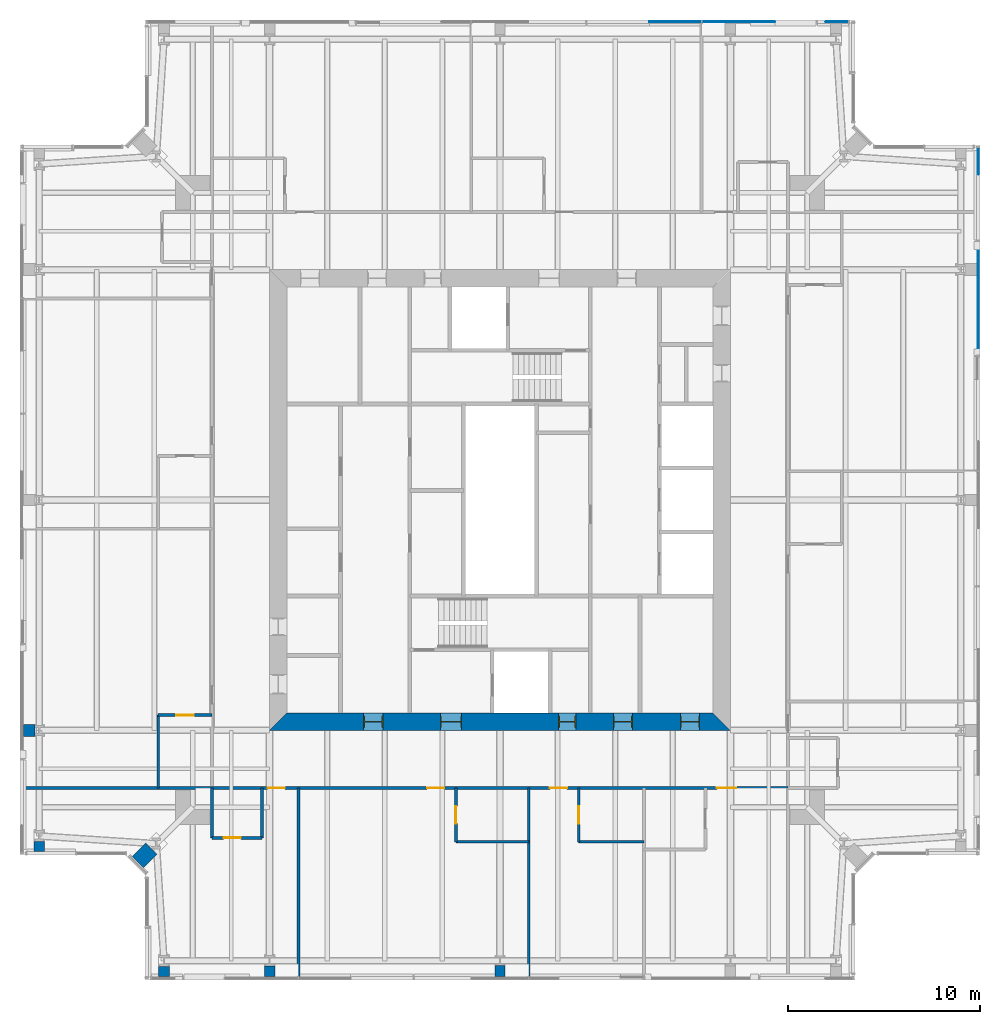
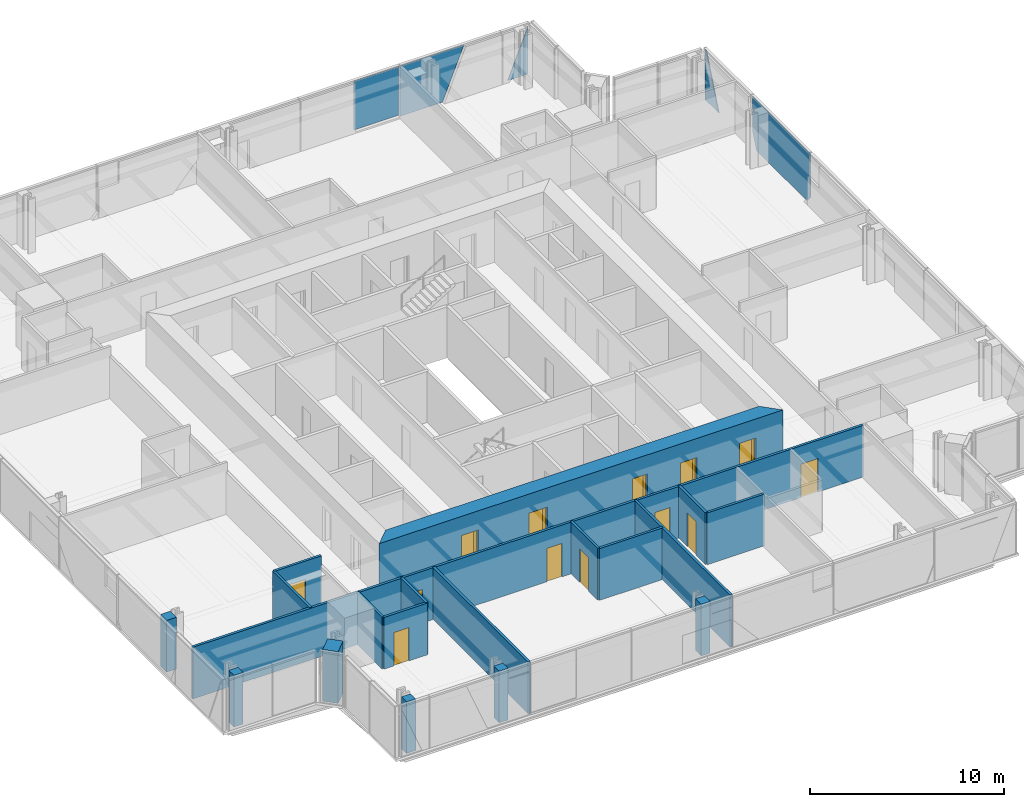
# One storey, part 11 of 20: 20 walls, 13 doors, 5 plates, 13 openings, 2 elements without a shape of their own.
"""IFC4 building model written with IfcOpenShell, lengths in metres."""

from ifc_helpers import new_model, si_unit, direction, frame, frame_2d, origin, place, context, subcontext, project, spatial, polyline, rectangle, outline, extrude, material, layer, layer_set, type_object, element, fill, aggregate, save


model = new_model("IFC4")

# Units and contexts
model_context = context("Model", 3, precision=1e-05, world=origin(), true_north=direction((0.0, 1.0)))
body_context = subcontext(model_context, "Body", "Model", "MODEL_VIEW")
ifc_project = project(units=[si_unit("LENGTHUNIT", "METRE"), si_unit("AREAUNIT", "SQUARE_METRE"), si_unit("VOLUMEUNIT", "CUBIC_METRE"), si_unit("PLANEANGLEUNIT", "RADIAN"), si_unit("MASSUNIT", "GRAM", prefix="KILO")], contexts=[model_context])

# Site, building, storey
site_placement = place(None, origin())
site = spatial("IfcSite", under=ifc_project, at=site_placement, CompositionType="ELEMENT")
building_placement = place(site_placement, origin())
building = spatial("IfcBuilding", under=site, at=building_placement, Name="Fenwick Lantern Interchange", CompositionType="ELEMENT")
storey_placement = place(building_placement, frame((0.0, 0.0, 276.39990234375)))
storey = spatial("IfcBuildingStorey", under=building, at=storey_placement, Name="L66", CompositionType="ELEMENT", Elevation=276.39990234375)

# Curtain wall, plates
ifc_material_1 = material(Name="Aluminium curtain wall frame", Category="aluminium")
curtain_wall_type = type_object("IfcCurtainWallType", Name="HOTEL CURTAIN WALL", PredefinedType="USERDEFINED", material=ifc_material_1)
curtain_wall_1_placement = place(storey_placement, origin())
curtain_wall_1 = element("IfcCurtainWall", 1, at=curtain_wall_1_placement, inside=storey, type_object=curtain_wall_type, Name="Hotel curtain wall 05", ObjectType="HOTEL CURTAIN WALL", PredefinedType="USERDEFINED")
ifc_material_2 = material(Name="Vision glass, acoustic laminated double glazed unit", Category="glass")
ifc_layer_1 = layer(ifc_material_2, 0.052001953125)
ifc_layer_set_1 = layer_set([ifc_layer_1], Name="HOTEL CURTAIN WALL PANEL 52")
plate_type = type_object("IfcPlateType", Name="HOTEL CURTAIN WALL PANEL 52", PredefinedType="CURTAIN_PANEL", material=ifc_layer_set_1)
plate_1_placement = place(storey_placement, frame((49.89990234375, 6.60009765625, 0.0), z_axis=(0.0, 0.0, 1.0), x_axis=(0.0, 1.0, 0.0)))
plate_1 = element("IfcPlate", 2, at=plate_1_placement, type_object=plate_type, Name="L66/CW/05/P05a", PredefinedType="CURTAIN_PANEL", context=body_context, shape_type="SweptSolid", body=[
    extrude(outline(polyline([(26.265869140625, 0.0), (31.453369140625, 0.0), (31.8701171875, 1.030029296875), (31.8701171875, 3.150146484375), (25.929931640625, 3.150146484375), (25.929931640625, 0.380615234375), (26.265869140625, 0.0)])), frame((0.0, 0.02587890625, 0.0), z_axis=(0.0, -1.0, 0.0), x_axis=(1.0, 0.0, 0.0)), (0.0, 0.0, 1.0), 0.052001953125),
])
plate_2_placement = place(storey_placement, frame((49.89990234375, 6.60009765625, 0.0), z_axis=(0.0, 0.0, 1.0), x_axis=(0.0, 1.0, 0.0)))
plate_2 = element("IfcPlate", 3, at=plate_2_placement, type_object=plate_type, Name="L66/CW/05/P06a", PredefinedType="CURTAIN_PANEL", context=body_context, shape_type="SweptSolid", body=[
    extrude(outline(polyline([(35.336669921875, 0.0), (36.739990234375, 0.0), (36.739990234375, 3.150146484375), (36.610595703125, 3.150146484375), (35.336669921875, 0.0)])), frame((0.0, 0.02587890625, 0.0), z_axis=(0.0, -1.0, 0.0), x_axis=(1.0, 0.0, 0.0)), (0.0, 0.0, 1.0), 0.052001953125),
])
aggregate(curtain_wall_1, [plate_1, plate_2])

curtain_wall_2_placement = place(storey_placement, origin())
curtain_wall_2 = element("IfcCurtainWall", 4, at=curtain_wall_2_placement, inside=storey, type_object=curtain_wall_type, Name="Hotel curtain wall 09", ObjectType="HOTEL CURTAIN WALL", PredefinedType="USERDEFINED")
plate_3_placement = place(storey_placement, frame((43.39990234375, 49.89990234375, 0.0), z_axis=(0.0, 0.0, 1.0), x_axis=(-1.0, 0.0, 0.0)))
plate_3 = element("IfcPlate", 5, at=plate_3_placement, type_object=plate_type, Name="L66/CW/09/P00a", PredefinedType="CURTAIN_PANEL", context=body_context, shape_type="SweptSolid", body=[
    extrude(outline(polyline([(0.260009765625, 0.0), (1.46337890625, 0.0), (0.260009765625, 2.9755859375), (0.260009765625, 0.0)])), frame((0.0, 0.02587890625, 0.0), z_axis=(0.0, -1.0, 0.0), x_axis=(1.0, 0.0, 0.0)), (0.0, 0.0, 1.0), 0.052001953125),
])
plate_4_placement = place(storey_placement, frame((43.39990234375, 49.89990234375, 0.0), z_axis=(0.0, 0.0, 1.0), x_axis=(-1.0, 0.0, 0.0)))
plate_4 = element("IfcPlate", 6, at=plate_4_placement, type_object=plate_type, Name="L66/CW/09/P01a", PredefinedType="CURTAIN_PANEL", context=body_context, shape_type="SweptSolid", body=[
    extrude(outline(polyline([(5.346435546875, 0.0), (7.8701171875, 0.0), (7.8701171875, 3.150146484375), (4.07275390625, 3.150146484375), (5.346435546875, 0.0)])), frame((0.0, 0.02587890625, 0.0), z_axis=(0.0, -1.0, 0.0), x_axis=(1.0, 0.0, 0.0)), (0.0, 0.0, 1.0), 0.052001953125),
])
plate_5_placement = place(storey_placement, frame((43.39990234375, 49.89990234375, 0.097412109375), z_axis=(0.0, 0.0, 1.0), x_axis=(-1.0, 0.0, 0.0)))
plate_5 = element("IfcPlate", 7, at=plate_5_placement, type_object=plate_type, Name="L66/CW/09/P02a", PredefinedType="CURTAIN_PANEL", context=body_context, shape_type="SweptSolid", body=[
    extrude(outline(polyline([(7.929931640625, 0.0), (10.6201171875, 0.0), (10.6201171875, 3.052734375), (7.929931640625, 3.052734375), (7.929931640625, 0.0)])), frame((0.0, 0.02587890625, 0.0), z_axis=(0.0, -1.0, 0.0), x_axis=(1.0, 0.0, 0.0)), (0.0, 0.0, 1.0), 0.052001953125),
])
aggregate(curtain_wall_2, [plate_3, plate_4, plate_5])

# Walls
ifc_material_3 = material(Name="Fire-rated gypsum board encasement on steel studs, 2 hour", Category="steel")
ifc_layer_2 = layer(ifc_material_3, 0.52392578125)
ifc_layer_set_2 = layer_set([ifc_layer_2], Name="COLUMN PIER 524")
wall_type_1 = type_object("IfcWallType", Name="COLUMN PIER 524", PredefinedType="PARTITIONING", material=ifc_layer_set_2)
wall_1_placement = place(storey_placement, frame((25.0, 0.18994140625, 0.0), z_axis=(0.0, 0.0, 1.0), x_axis=(0.0, 1.0, 0.0)))
element("IfcWall", 8, at=wall_1_placement, inside=storey, type_object=wall_type_1, Name="L66/W/PIER/CS3", PredefinedType="PARTITIONING", context=body_context, shape_type="SweptSolid", body=[
    extrude(rectangle(XDim=0.572509765625, YDim=0.52392578125, at=frame_2d((0.2861328125, 0.0))), origin(), (0.0, 0.0, 1.0), 3.25),
])
ifc_layer_3 = layer(ifc_material_3, 0.5419921875)
ifc_layer_set_3 = layer_set([ifc_layer_3], Name="COLUMN PIER 542")
wall_type_2 = type_object("IfcWallType", Name="COLUMN PIER 542", PredefinedType="PARTITIONING", material=ifc_layer_set_3)
wall_2_placement = place(storey_placement, frame((13.0, 0.18994140625, 0.0), z_axis=(0.0, 0.0, 1.0), x_axis=(0.0, 1.0, 0.0)))
element("IfcWall", 9, at=wall_2_placement, inside=storey, type_object=wall_type_2, Name="L66/W/PIER/CS2", PredefinedType="PARTITIONING", context=body_context, shape_type="SweptSolid", body=[
    extrude(rectangle(XDim=0.544677734375, YDim=0.5419921875, at=frame_2d((0.2724609375, 0.0))), origin(), (0.0, 0.0, 1.0), 3.25),
])
ifc_layer_4 = layer(ifc_material_3, 0.554931640625)
ifc_layer_set_4 = layer_set([ifc_layer_4], Name="COLUMN PIER 555")
wall_type_3 = type_object("IfcWallType", Name="COLUMN PIER 555", PredefinedType="PARTITIONING", material=ifc_layer_set_4)
for number, where, z_axis, x_axis, name in (
    (10, (7.5, 0.18994140625, 0.0), (0.0, 0.0, 1.0), (0.0, 1.0, 0.0), "L66/W/PIER/CS1"),
    (11, (1.0, 6.68994140625, 0.0), (0.0, 0.0, 1.0), (0.0, 1.0, 0.0), "L66/W/PIER/CW5"),
):
    element("IfcWall", number, at=place(storey_placement, frame(where, z_axis=z_axis, x_axis=x_axis)), inside=storey, type_object=wall_type_3, Name=name, PredefinedType="PARTITIONING", context=body_context, shape_type="SweptSolid", body=[
        extrude(rectangle(XDim=0.525634765625, YDim=0.554931640625, at=frame_2d((0.2626953125, 0.0))), origin(), (0.0, 0.0, 1.0), 3.25),
    ])
ifc_layer_5 = layer(ifc_material_3, 0.631103515625)
ifc_layer_set_5 = layer_set([ifc_layer_5], Name="COLUMN PIER 631")
wall_type_4 = type_object("IfcWallType", Name="COLUMN PIER 631", PredefinedType="PARTITIONING", material=ifc_layer_set_5)
wall_3_placement = place(storey_placement, frame((0.18994140625, 13.0, 0.0), z_axis=(0.0, 0.0, 1.0), x_axis=(1.0, 0.0, 0.0)))
element("IfcWall", 12, at=wall_3_placement, inside=storey, type_object=wall_type_4, Name="L66/W/PIER/CW4", PredefinedType="PARTITIONING", context=body_context, shape_type="SweptSolid", body=[
    extrude(rectangle(XDim=0.589111328125, YDim=0.631103515625, at=frame_2d((0.29443359375, 0.0))), origin(), (0.0, 0.0, 1.0), 3.25),
])
ifc_layer_6 = layer(ifc_material_3, 0.823974609375)
ifc_layer_set_6 = layer_set([ifc_layer_6], Name="COLUMN PIER 824")
wall_type_5 = type_object("IfcWallType", Name="COLUMN PIER 824", PredefinedType="PARTITIONING", material=ifc_layer_set_6)
wall_4_placement = place(storey_placement, frame((6.13427734375, 6.13427734375, 0.0), z_axis=(0.0, 0.0, 1.0), x_axis=(0.707106781187, 0.707106781187, 0.0)))
element("IfcWall", 13, at=wall_4_placement, inside=storey, type_object=wall_type_5, Name="L66/W/PIER/CWR", PredefinedType="PARTITIONING", context=body_context, shape_type="SweptSolid", body=[
    extrude(rectangle(XDim=1.003662109375, YDim=0.823974609375, at=frame_2d((0.501953125, 0.0))), origin(), (0.0, 0.0, 1.0), 3.25),
])

# Wall, openings, doors
ifc_material_4 = material(Name="Concrete f'c 70 MPa", Category="concrete")
ifc_layer_7 = layer(ifc_material_4, 0.89990234375)
ifc_layer_set_7 = layer_set([ifc_layer_7], Name="CORE WALL 900")
wall_type_6 = type_object("IfcWallType", Name="CORE WALL 900", PredefinedType="SHEAR", material=ifc_layer_set_7)
wall_5_placement = place(storey_placement, frame((13.0, 13.449951171875, 0.0), z_axis=(0.0, 0.0, 1.0), x_axis=(1.0, 0.0, 0.0)))
wall_5 = element("IfcWall", 14, at=wall_5_placement, inside=storey, type_object=wall_type_6, Name="L66/CORE/S", PredefinedType="SHEAR", context=body_context, shape_type="SweptSolid", body=[
    extrude(outline(polyline([(0.0, -0.449951171875), (24.0, -0.449951171875), (23.10009765625, 0.449951171875), (0.89990234375, 0.449951171875), (0.0, -0.449951171875)])), origin(), (0.0, 0.0, 1.0), 3.400146484375),
])
opening_1_placement = place(wall_5_placement, frame((4.89990234375, 0.0, 0.0)))
opening_1 = element("IfcOpeningElement", 15, at=opening_1_placement, cuts=wall_5, Name="Opening L66-D001", PredefinedType="OPENING", context=body_context, shape_type="SweptSolid", body=[
    extrude(rectangle(XDim=1.0, YDim=2.199951171875, at=frame_2d((0.5, 1.10009765625))), frame((0.0, 0.4599609375, 0.0), z_axis=(0.0, -1.0, 0.0), x_axis=(1.0, 0.0, 0.0)), (0.0, 0.0, 1.0), 0.919921875),
])
opening_2_placement = place(wall_5_placement, frame((8.89990234375, 0.0, 0.0)))
opening_2 = element("IfcOpeningElement", 16, at=opening_2_placement, cuts=wall_5, Name="Opening L66-D002", PredefinedType="OPENING", context=body_context, shape_type="SweptSolid", body=[
    extrude(rectangle(XDim=1.10009765625, YDim=2.199951171875, at=frame_2d((0.550048828125, 1.10009765625))), frame((0.0, 0.4599609375, 0.0), z_axis=(0.0, -1.0, 0.0), x_axis=(1.0, 0.0, 0.0)), (0.0, 0.0, 1.0), 0.919921875),
])
opening_3_placement = place(wall_5_placement, frame((15.050048828125, 0.0, 0.0)))
opening_3 = element("IfcOpeningElement", 17, at=opening_3_placement, cuts=wall_5, Name="Opening L66-D004", PredefinedType="OPENING", context=body_context, shape_type="SweptSolid", body=[
    extrude(rectangle(XDim=0.89990234375, YDim=2.199951171875, at=frame_2d((0.449951171875, 1.10009765625))), frame((0.0, 0.4599609375, 0.0), z_axis=(0.0, -1.0, 0.0), x_axis=(1.0, 0.0, 0.0)), (0.0, 0.0, 1.0), 0.919921875),
])
opening_4_placement = place(wall_5_placement, frame((17.89990234375, 0.0, 0.0)))
opening_4 = element("IfcOpeningElement", 18, at=opening_4_placement, cuts=wall_5, Name="Opening L66-D005", PredefinedType="OPENING", context=body_context, shape_type="SweptSolid", body=[
    extrude(rectangle(XDim=1.0, YDim=2.199951171875, at=frame_2d((0.5, 1.10009765625))), frame((0.0, 0.4599609375, 0.0), z_axis=(0.0, -1.0, 0.0), x_axis=(1.0, 0.0, 0.0)), (0.0, 0.0, 1.0), 0.919921875),
])
opening_5_placement = place(wall_5_placement, frame((21.39990234375, 0.0, 0.0)))
opening_5 = element("IfcOpeningElement", 19, at=opening_5_placement, cuts=wall_5, Name="Opening L66-D006", PredefinedType="OPENING", context=body_context, shape_type="SweptSolid", body=[
    extrude(rectangle(XDim=1.0, YDim=2.199951171875, at=frame_2d((0.5, 1.10009765625))), frame((0.0, 0.4599609375, 0.0), z_axis=(0.0, -1.0, 0.0), x_axis=(1.0, 0.0, 0.0)), (0.0, 0.0, 1.0), 0.919921875),
])
ifc_material_5 = material(Name="Steel door and frame", Category="steel")
door_type_1 = type_object("IfcDoorType", Name="CORE LOBBY DOOR 1000 X 2200", OperationType="SINGLE_SWING_LEFT", PredefinedType="DOOR", material=ifc_material_5)
door_1_placement = place(opening_1_placement, origin())
door_1 = element("IfcDoor", 20, at=door_1_placement, inside=storey, type_object=door_type_1, Name="Core lobby door", OperationType="SINGLE_SWING_LEFT", OverallHeight=2.199951171875, OverallWidth=1.0, PredefinedType="DOOR", context=body_context, shape_type="SweptSolid", body=[
    extrude(rectangle(XDim=1.0, YDim=2.199951171875, at=frame_2d((0.5, 1.10009765625))), frame((0.0, 0.02490234375, 0.0), z_axis=(0.0, -1.0, 0.0), x_axis=(1.0, 0.0, 0.0)), (0.0, 0.0, 1.0), 0.050048828125),
    extrude(outline(polyline([(0.0, 0.0), (0.0400390625, 0.0), (0.0400390625, 2.159912109375), (0.9599609375, 2.159912109375), (0.9599609375, 0.0), (1.0, 0.0), (1.0, 2.199951171875), (0.0, 2.199951171875), (0.0, 0.0)])), frame((0.0, 0.300048828125, 0.0), z_axis=(0.0, -1.0, 0.0), x_axis=(1.0, 0.0, 0.0)), (0.0, 0.0, 1.0), 0.60009765625),
])
fill(opening_1, door_1)
door_type_2 = type_object("IfcDoorType", Name="FIRE LOBBY DOOR 1100 X 2200", OperationType="SINGLE_SWING_LEFT", PredefinedType="DOOR", material=ifc_material_5)
door_2_placement = place(opening_2_placement, origin())
door_2 = element("IfcDoor", 21, at=door_2_placement, inside=storey, type_object=door_type_2, Name="Fire lobby door", OperationType="SINGLE_SWING_LEFT", OverallHeight=2.199951171875, OverallWidth=1.10009765625, PredefinedType="DOOR", context=body_context, shape_type="SweptSolid", body=[
    extrude(rectangle(XDim=1.10009765625, YDim=2.199951171875, at=frame_2d((0.550048828125, 1.10009765625))), frame((0.0, 0.02490234375, 0.0), z_axis=(0.0, -1.0, 0.0), x_axis=(1.0, 0.0, 0.0)), (0.0, 0.0, 1.0), 0.050048828125),
    extrude(outline(polyline([(0.0, 0.0), (0.0400390625, 0.0), (0.0400390625, 2.159912109375), (1.06005859375, 2.159912109375), (1.06005859375, 0.0), (1.10009765625, 0.0), (1.10009765625, 2.199951171875), (0.0, 2.199951171875), (0.0, 0.0)])), frame((0.0, 0.300048828125, 0.0), z_axis=(0.0, -1.0, 0.0), x_axis=(1.0, 0.0, 0.0)), (0.0, 0.0, 1.0), 0.60009765625),
])
fill(opening_2, door_2)
door_type_3 = type_object("IfcDoorType", Name="SERVICE DOOR 900 X 2200", OperationType="SINGLE_SWING_LEFT", PredefinedType="DOOR", material=ifc_material_5)
door_3_placement = place(opening_3_placement, origin())
door_3 = element("IfcDoor", 22, at=door_3_placement, inside=storey, type_object=door_type_3, Name="Service door", OperationType="SINGLE_SWING_LEFT", OverallHeight=2.199951171875, OverallWidth=0.89990234375, PredefinedType="DOOR", context=body_context, shape_type="SweptSolid", body=[
    extrude(rectangle(XDim=0.89990234375, YDim=2.199951171875, at=frame_2d((0.449951171875, 1.10009765625))), frame((0.0, 0.02490234375, 0.0), z_axis=(0.0, -1.0, 0.0), x_axis=(1.0, 0.0, 0.0)), (0.0, 0.0, 1.0), 0.050048828125),
    extrude(outline(polyline([(0.0, 0.0), (0.0400390625, 0.0), (0.0400390625, 2.159912109375), (0.85986328125, 2.159912109375), (0.85986328125, 0.0), (0.89990234375, 0.0), (0.89990234375, 2.199951171875), (0.0, 2.199951171875), (0.0, 0.0)])), frame((0.0, 0.300048828125, 0.0), z_axis=(0.0, -1.0, 0.0), x_axis=(1.0, 0.0, 0.0)), (0.0, 0.0, 1.0), 0.60009765625),
])
fill(opening_3, door_3)
ifc_material_6 = material(Name="Hardwood door and steel frame", Category="steel")
door_type_4 = type_object("IfcDoorType", Name="WC DOOR 1000 X 2200", OperationType="SINGLE_SWING_LEFT", PredefinedType="DOOR", material=ifc_material_6)
door_4_placement = place(opening_4_placement, origin())
door_4 = element("IfcDoor", 23, at=door_4_placement, inside=storey, type_object=door_type_4, Name="Wc door", OperationType="SINGLE_SWING_RIGHT", OverallHeight=2.199951171875, OverallWidth=1.0, PredefinedType="DOOR", context=body_context, shape_type="SweptSolid", body=[
    extrude(rectangle(XDim=1.0, YDim=2.199951171875, at=frame_2d((0.5, 1.10009765625))), frame((0.0, 0.02490234375, 0.0), z_axis=(0.0, -1.0, 0.0), x_axis=(1.0, 0.0, 0.0)), (0.0, 0.0, 1.0), 0.050048828125),
    extrude(outline(polyline([(0.0, 0.0), (0.0400390625, 0.0), (0.0400390625, 2.159912109375), (0.9599609375, 2.159912109375), (0.9599609375, 0.0), (1.0, 0.0), (1.0, 2.199951171875), (0.0, 2.199951171875), (0.0, 0.0)])), frame((0.0, 0.300048828125, 0.0), z_axis=(0.0, -1.0, 0.0), x_axis=(1.0, 0.0, 0.0)), (0.0, 0.0, 1.0), 0.60009765625),
])
fill(opening_4, door_4)
door_5_placement = place(opening_5_placement, origin())
door_5 = element("IfcDoor", 24, at=door_5_placement, inside=storey, type_object=door_type_4, Name="Wc door", OperationType="SINGLE_SWING_RIGHT", OverallHeight=2.199951171875, OverallWidth=1.0, PredefinedType="DOOR", context=body_context, shape_type="SweptSolid", body=[
    extrude(rectangle(XDim=1.0, YDim=2.199951171875, at=frame_2d((0.5, 1.10009765625))), frame((0.0, 0.02490234375, 0.0), z_axis=(0.0, -1.0, 0.0), x_axis=(1.0, 0.0, 0.0)), (0.0, 0.0, 1.0), 0.050048828125),
    extrude(outline(polyline([(0.0, 0.0), (0.0400390625, 0.0), (0.0400390625, 2.159912109375), (0.9599609375, 2.159912109375), (0.9599609375, 0.0), (1.0, 0.0), (1.0, 2.199951171875), (0.0, 2.199951171875), (0.0, 0.0)])), frame((0.0, 0.300048828125, 0.0), z_axis=(0.0, -1.0, 0.0), x_axis=(1.0, 0.0, 0.0)), (0.0, 0.0, 1.0), 0.60009765625),
])
fill(opening_5, door_5)

ifc_material_7 = material(Name="Gypsum board on steel studs, 1 hour", Category="steel")
ifc_layer_8 = layer(ifc_material_7, 0.14990234375)
ifc_layer_set_8 = layer_set([ifc_layer_8], Name="CORRIDOR WALL 150")
wall_type_7 = type_object("IfcWallType", Name="CORRIDOR WALL 150", PredefinedType="PARTITIONING", material=ifc_layer_set_8)
wall_6_placement = place(storey_placement, frame((10.0, 10.0, 0.0), z_axis=(0.0, 0.0, 1.0), x_axis=(1.0, 0.0, 0.0)))
wall_6 = element("IfcWall", 25, at=wall_6_placement, inside=storey, type_object=wall_type_7, Name="L66/W/HOTEL/S/CW", PredefinedType="PARTITIONING", context=body_context, shape_type="SweptSolid", body=[
    extrude(rectangle(XDim=30.0, YDim=0.14990234375, at=frame_2d((15.0, 0.0))), origin(), (0.0, 0.0, 1.0), 3.25),
])
opening_6_placement = place(wall_6_placement, frame((2.89990234375, 0.0, 0.0)))
opening_6 = element("IfcOpeningElement", 26, at=opening_6_placement, cuts=wall_6, Name="Opening L66-D024", PredefinedType="OPENING", context=body_context, shape_type="SweptSolid", body=[
    extrude(rectangle(XDim=0.89990234375, YDim=2.10009765625, at=frame_2d((0.449951171875, 1.050048828125))), frame((0.0, 0.0849609375, 0.0), z_axis=(0.0, -1.0, 0.0), x_axis=(1.0, 0.0, 0.0)), (0.0, 0.0, 1.0), 0.169921875),
])
opening_7_placement = place(wall_6_placement, frame((11.199951171875, 0.0, 0.0)))
opening_7 = element("IfcOpeningElement", 27, at=opening_7_placement, cuts=wall_6, Name="Opening L66-D027", PredefinedType="OPENING", context=body_context, shape_type="SweptSolid", body=[
    extrude(rectangle(XDim=0.89990234375, YDim=2.10009765625, at=frame_2d((0.449951171875, 1.050048828125))), frame((0.0, 0.0849609375, 0.0), z_axis=(0.0, -1.0, 0.0), x_axis=(1.0, 0.0, 0.0)), (0.0, 0.0, 1.0), 0.169921875),
])
opening_8_placement = place(wall_6_placement, frame((17.60009765625, 0.0, 0.0)))
opening_8 = element("IfcOpeningElement", 28, at=opening_8_placement, cuts=wall_6, Name="Opening L66-D029", PredefinedType="OPENING", context=body_context, shape_type="SweptSolid", body=[
    extrude(rectangle(XDim=0.89990234375, YDim=2.10009765625, at=frame_2d((0.449951171875, 1.050048828125))), frame((0.0, 0.0849609375, 0.0), z_axis=(0.0, -1.0, 0.0), x_axis=(1.0, 0.0, 0.0)), (0.0, 0.0, 1.0), 0.169921875),
])
opening_9_placement = place(wall_6_placement, frame((26.300048828125, 0.0, 0.0)))
opening_9 = element("IfcOpeningElement", 29, at=opening_9_placement, cuts=wall_6, Name="Opening L66-D031", PredefinedType="OPENING", context=body_context, shape_type="SweptSolid", body=[
    extrude(rectangle(XDim=1.0, YDim=2.10009765625, at=frame_2d((0.5, 1.050048828125))), frame((0.0, 0.0849609375, 0.0), z_axis=(0.0, -1.0, 0.0), x_axis=(1.0, 0.0, 0.0)), (0.0, 0.0, 1.0), 0.169921875),
])
door_type_5 = type_object("IfcDoorType", Name="GUEST ROOM DOOR 1000 X 2100", OperationType="SINGLE_SWING_LEFT", PredefinedType="DOOR", material=ifc_material_5)
door_6_placement = place(opening_9_placement, frame((1.0, 0.0, 0.0), z_axis=(0.0, 0.0, 1.0), x_axis=(-1.0, 0.0, 0.0)))
door_6 = element("IfcDoor", 30, at=door_6_placement, inside=storey, type_object=door_type_5, Name="Guest room door", OperationType="SINGLE_SWING_RIGHT", OverallHeight=2.10009765625, OverallWidth=1.0, PredefinedType="DOOR", context=body_context, shape_type="SweptSolid", body=[
    extrude(rectangle(XDim=1.0, YDim=2.10009765625, at=frame_2d((0.5, 1.050048828125))), frame((0.0, 0.02490234375, 0.0), z_axis=(0.0, -1.0, 0.0), x_axis=(1.0, 0.0, 0.0)), (0.0, 0.0, 1.0), 0.050048828125),
])
fill(opening_9, door_6)
door_type_6 = type_object("IfcDoorType", Name="GUEST ROOM DOOR 900 X 2100", OperationType="SINGLE_SWING_LEFT", PredefinedType="DOOR", material=ifc_material_5)
door_7_placement = place(opening_6_placement, frame((0.89990234375, 0.0, 0.0), z_axis=(0.0, 0.0, 1.0), x_axis=(-1.0, 0.0, 0.0)))
door_7 = element("IfcDoor", 31, at=door_7_placement, inside=storey, type_object=door_type_6, Name="Guest room door", OperationType="SINGLE_SWING_RIGHT", OverallHeight=2.10009765625, OverallWidth=0.89990234375, PredefinedType="DOOR", context=body_context, shape_type="SweptSolid", body=[
    extrude(rectangle(XDim=0.89990234375, YDim=2.10009765625, at=frame_2d((0.449951171875, 1.050048828125))), frame((0.0, 0.02490234375, 0.0), z_axis=(0.0, -1.0, 0.0), x_axis=(1.0, 0.0, 0.0)), (0.0, 0.0, 1.0), 0.050048828125),
])
fill(opening_6, door_7)
door_8_placement = place(opening_7_placement, frame((0.89990234375, 0.0, 0.0), z_axis=(0.0, 0.0, 1.0), x_axis=(-1.0, 0.0, 0.0)))
door_8 = element("IfcDoor", 32, at=door_8_placement, inside=storey, type_object=door_type_6, Name="Guest room door", OperationType="SINGLE_SWING_LEFT", OverallHeight=2.10009765625, OverallWidth=0.89990234375, PredefinedType="DOOR", context=body_context, shape_type="SweptSolid", body=[
    extrude(rectangle(XDim=0.89990234375, YDim=2.10009765625, at=frame_2d((0.449951171875, 1.050048828125))), frame((0.0, 0.02490234375, 0.0), z_axis=(0.0, -1.0, 0.0), x_axis=(1.0, 0.0, 0.0)), (0.0, 0.0, 1.0), 0.050048828125),
])
fill(opening_7, door_8)
door_9_placement = place(opening_8_placement, frame((0.89990234375, 0.0, 0.0), z_axis=(0.0, 0.0, 1.0), x_axis=(-1.0, 0.0, 0.0)))
door_9 = element("IfcDoor", 33, at=door_9_placement, inside=storey, type_object=door_type_6, Name="Guest room door", OperationType="SINGLE_SWING_LEFT", OverallHeight=2.10009765625, OverallWidth=0.89990234375, PredefinedType="DOOR", context=body_context, shape_type="SweptSolid", body=[
    extrude(rectangle(XDim=0.89990234375, YDim=2.10009765625, at=frame_2d((0.449951171875, 1.050048828125))), frame((0.0, 0.02490234375, 0.0), z_axis=(0.0, -1.0, 0.0), x_axis=(1.0, 0.0, 0.0)), (0.0, 0.0, 1.0), 0.050048828125),
])
fill(opening_8, door_9)

# Wall, opening, door
ifc_material_8 = material(Name="Gypsum board on steel studs, moisture resistant", Category="steel")
ifc_layer_9 = layer(ifc_material_8, 0.14990234375)
ifc_layer_set_9 = layer_set([ifc_layer_9], Name="EN-SUITE WALL 150")
wall_type_8 = type_object("IfcWallType", Name="EN-SUITE WALL 150", PredefinedType="PARTITIONING", material=ifc_layer_set_9)
wall_7_placement = place(storey_placement, frame((10.0, 7.39990234375, 0.0), z_axis=(0.0, 0.0, 1.0), x_axis=(1.0, 0.0, 0.0)))
wall_7 = element("IfcWall", 34, at=wall_7_placement, inside=storey, type_object=wall_type_8, Name="L66/W/HOTEL/S/U1BW", PredefinedType="PARTITIONING", context=body_context, shape_type="SweptSolid", body=[
    extrude(rectangle(XDim=2.60009765625, YDim=0.14990234375, at=frame_2d((1.300048828125, 0.0))), origin(), (0.0, 0.0, 1.0), 3.25),
])
opening_10_placement = place(wall_7_placement, frame((0.60009765625, 0.0, 0.0)))
opening_10 = element("IfcOpeningElement", 35, at=opening_10_placement, cuts=wall_7, Name="Opening L66-D025", PredefinedType="OPENING", context=body_context, shape_type="SweptSolid", body=[
    extrude(rectangle(XDim=0.89990234375, YDim=2.10009765625, at=frame_2d((0.449951171875, 1.050048828125))), frame((0.0, 0.0849609375, 0.0), z_axis=(0.0, -1.0, 0.0), x_axis=(1.0, 0.0, 0.0)), (0.0, 0.0, 1.0), 0.169921875),
])
door_type_7 = type_object("IfcDoorType", Name="EN-SUITE DOOR 900 X 2100", OperationType="SINGLE_SWING_LEFT", PredefinedType="DOOR", material=ifc_material_6)
door_10_placement = place(opening_10_placement, origin())
door_10 = element("IfcDoor", 36, at=door_10_placement, inside=storey, type_object=door_type_7, Name="En-suite door", OperationType="SINGLE_SWING_LEFT", OverallHeight=2.10009765625, OverallWidth=0.89990234375, PredefinedType="DOOR", context=body_context, shape_type="SweptSolid", body=[
    extrude(rectangle(XDim=0.89990234375, YDim=2.10009765625, at=frame_2d((0.449951171875, 1.050048828125))), frame((0.0, 0.02490234375, 0.0), z_axis=(0.0, -1.0, 0.0), x_axis=(1.0, 0.0, 0.0)), (0.0, 0.0, 1.0), 0.050048828125),
])
fill(opening_10, door_10)

# Walls
for number, where, z_axis, x_axis, name in (
    (37, (10.0, 7.39990234375, 0.0), (0.0, 0.0, 1.0), (0.0, 1.0, 0.0), "L66/W/HOTEL/S/U1BX"),
    (38, (12.60009765625, 7.39990234375, 0.0), (0.0, 0.0, 1.0), (0.0, 1.0, 0.0), "L66/W/HOTEL/S/U1BE"),
):
    element("IfcWall", number, at=place(storey_placement, frame(where, z_axis=z_axis, x_axis=x_axis)), inside=storey, type_object=wall_type_8, Name=name, PredefinedType="PARTITIONING", context=body_context, shape_type="SweptSolid", body=[
        extrude(rectangle(XDim=2.60009765625, YDim=0.14990234375, at=frame_2d((1.300048828125, 0.0))), origin(), (0.0, 0.0, 1.0), 3.25),
    ])
wall_8_placement = place(storey_placement, frame((22.699951171875, 7.199951171875, 0.0), z_axis=(0.0, 0.0, 1.0), x_axis=(1.0, 0.0, 0.0)))
element("IfcWall", 39, at=wall_8_placement, inside=storey, type_object=wall_type_8, Name="L66/W/HOTEL/S/U2BW", PredefinedType="PARTITIONING", context=body_context, shape_type="SweptSolid", body=[
    extrude(rectangle(XDim=3.800048828125, YDim=0.14990234375, at=frame_2d((1.89990234375, 0.0))), origin(), (0.0, 0.0, 1.0), 3.25),
])

# Wall, opening, door
wall_9_placement = place(storey_placement, frame((22.699951171875, 7.199951171875, 0.0), z_axis=(0.0, 0.0, 1.0), x_axis=(0.0, 1.0, 0.0)))
wall_9 = element("IfcWall", 40, at=wall_9_placement, inside=storey, type_object=wall_type_8, Name="L66/W/HOTEL/S/U2BX", PredefinedType="PARTITIONING", context=body_context, shape_type="SweptSolid", body=[
    extrude(rectangle(XDim=2.800048828125, YDim=0.14990234375, at=frame_2d((1.39990234375, 0.0))), origin(), (0.0, 0.0, 1.0), 3.25),
])
opening_11_placement = place(wall_9_placement, frame((0.949951171875, 0.0, 0.0)))
opening_11 = element("IfcOpeningElement", 41, at=opening_11_placement, cuts=wall_9, Name="Opening L66-D026", PredefinedType="OPENING", context=body_context, shape_type="SweptSolid", body=[
    extrude(rectangle(XDim=0.89990234375, YDim=2.10009765625, at=frame_2d((0.449951171875, 1.050048828125))), frame((0.0, 0.0849609375, 0.0), z_axis=(0.0, -1.0, 0.0), x_axis=(1.0, 0.0, 0.0)), (0.0, 0.0, 1.0), 0.169921875),
])
door_11_placement = place(opening_11_placement, frame((0.89990234375, 0.0, 0.0), z_axis=(0.0, 0.0, 1.0), x_axis=(-1.0, 0.0, 0.0)))
door_11 = element("IfcDoor", 42, at=door_11_placement, inside=storey, type_object=door_type_7, Name="En-suite door", OperationType="SINGLE_SWING_RIGHT", OverallHeight=2.10009765625, OverallWidth=0.89990234375, PredefinedType="DOOR", context=body_context, shape_type="SweptSolid", body=[
    extrude(rectangle(XDim=0.89990234375, YDim=2.10009765625, at=frame_2d((0.449951171875, 1.050048828125))), frame((0.0, 0.02490234375, 0.0), z_axis=(0.0, -1.0, 0.0), x_axis=(1.0, 0.0, 0.0)), (0.0, 0.0, 1.0), 0.050048828125),
])
fill(opening_11, door_11)

# Wall
wall_10_placement = place(storey_placement, frame((29.10009765625, 7.199951171875, 0.0), z_axis=(0.0, 0.0, 1.0), x_axis=(1.0, 0.0, 0.0)))
element("IfcWall", 43, at=wall_10_placement, inside=storey, type_object=wall_type_8, Name="L66/W/HOTEL/S/U3BW", PredefinedType="PARTITIONING", context=body_context, shape_type="SweptSolid", body=[
    extrude(rectangle(XDim=3.39990234375, YDim=0.14990234375, at=frame_2d((1.699951171875, 0.0))), origin(), (0.0, 0.0, 1.0), 3.25),
])

# Wall, opening, door
wall_11_placement = place(storey_placement, frame((29.10009765625, 7.199951171875, 0.0), z_axis=(0.0, 0.0, 1.0), x_axis=(0.0, 1.0, 0.0)))
wall_11 = element("IfcWall", 44, at=wall_11_placement, inside=storey, type_object=wall_type_8, Name="L66/W/HOTEL/S/U3BX", PredefinedType="PARTITIONING", context=body_context, shape_type="SweptSolid", body=[
    extrude(rectangle(XDim=2.800048828125, YDim=0.14990234375, at=frame_2d((1.39990234375, 0.0))), origin(), (0.0, 0.0, 1.0), 3.25),
])
opening_12_placement = place(wall_11_placement, frame((0.949951171875, 0.0, 0.0)))
opening_12 = element("IfcOpeningElement", 45, at=opening_12_placement, cuts=wall_11, Name="Opening L66-D028", PredefinedType="OPENING", context=body_context, shape_type="SweptSolid", body=[
    extrude(rectangle(XDim=0.89990234375, YDim=2.10009765625, at=frame_2d((0.449951171875, 1.050048828125))), frame((0.0, 0.0849609375, 0.0), z_axis=(0.0, -1.0, 0.0), x_axis=(1.0, 0.0, 0.0)), (0.0, 0.0, 1.0), 0.169921875),
])
door_12_placement = place(opening_12_placement, frame((0.89990234375, 0.0, 0.0), z_axis=(0.0, 0.0, 1.0), x_axis=(-1.0, 0.0, 0.0)))
door_12 = element("IfcDoor", 46, at=door_12_placement, inside=storey, type_object=door_type_7, Name="En-suite door", OperationType="SINGLE_SWING_RIGHT", OverallHeight=2.10009765625, OverallWidth=0.89990234375, PredefinedType="DOOR", context=body_context, shape_type="SweptSolid", body=[
    extrude(rectangle(XDim=0.89990234375, YDim=2.10009765625, at=frame_2d((0.449951171875, 1.050048828125))), frame((0.0, 0.02490234375, 0.0), z_axis=(0.0, -1.0, 0.0), x_axis=(1.0, 0.0, 0.0)), (0.0, 0.0, 1.0), 0.050048828125),
])
fill(opening_12, door_12)

# Wall
wall_12_placement = place(storey_placement, frame((7.199951171875, 13.800048828125, 0.0), z_axis=(0.0, 0.0, 1.0), x_axis=(0.0, -1.0, 0.0)))
element("IfcWall", 47, at=wall_12_placement, inside=storey, type_object=wall_type_8, Name="L66/W/HOTEL/W/U3BW", PredefinedType="PARTITIONING", context=body_context, shape_type="SweptSolid", body=[
    extrude(rectangle(XDim=3.800048828125, YDim=0.14990234375, at=frame_2d((1.89990234375, 0.0))), origin(), (0.0, 0.0, 1.0), 3.25),
])

# Wall, opening, door
wall_13_placement = place(storey_placement, frame((7.199951171875, 13.800048828125, 0.0), z_axis=(0.0, 0.0, 1.0), x_axis=(1.0, 0.0, 0.0)))
wall_13 = element("IfcWall", 48, at=wall_13_placement, inside=storey, type_object=wall_type_8, Name="L66/W/HOTEL/W/U3BX", PredefinedType="PARTITIONING", context=body_context, shape_type="SweptSolid", body=[
    extrude(rectangle(XDim=2.800048828125, YDim=0.14990234375, at=frame_2d((1.39990234375, 0.0))), origin(), (0.0, 0.0, 1.0), 3.25),
])
opening_13_placement = place(wall_13_placement, frame((0.949951171875, 0.0, 0.0)))
opening_13 = element("IfcOpeningElement", 49, at=opening_13_placement, cuts=wall_13, Name="Opening L66-D048", PredefinedType="OPENING", context=body_context, shape_type="SweptSolid", body=[
    extrude(rectangle(XDim=0.89990234375, YDim=2.10009765625, at=frame_2d((0.449951171875, 1.050048828125))), frame((0.0, 0.0849609375, 0.0), z_axis=(0.0, -1.0, 0.0), x_axis=(1.0, 0.0, 0.0)), (0.0, 0.0, 1.0), 0.169921875),
])
door_13_placement = place(opening_13_placement, frame((0.89990234375, 0.0, 0.0), z_axis=(0.0, 0.0, 1.0), x_axis=(-1.0, 0.0, 0.0)))
door_13 = element("IfcDoor", 50, at=door_13_placement, inside=storey, type_object=door_type_7, Name="En-suite door", OperationType="SINGLE_SWING_RIGHT", OverallHeight=2.10009765625, OverallWidth=0.89990234375, PredefinedType="DOOR", context=body_context, shape_type="SweptSolid", body=[
    extrude(rectangle(XDim=0.89990234375, YDim=2.10009765625, at=frame_2d((0.449951171875, 1.050048828125))), frame((0.0, 0.02490234375, 0.0), z_axis=(0.0, -1.0, 0.0), x_axis=(1.0, 0.0, 0.0)), (0.0, 0.0, 1.0), 0.050048828125),
])
fill(opening_13, door_13)

# Walls
ifc_material_9 = material(Name="Gypsum board on steel studs, 1 hour acoustic", Category="steel")
ifc_layer_10 = layer(ifc_material_9, 0.14990234375)
ifc_layer_set_10 = layer_set([ifc_layer_10], Name="PARTY WALL 150")
wall_type_9 = type_object("IfcWallType", Name="PARTY WALL 150", PredefinedType="PARTITIONING", material=ifc_layer_set_10)
for number, where, z_axis, x_axis, name in (
    (51, (0.14990234375, 10.0, 0.0), (0.0, 0.0, 1.0), (1.0, 0.0, 0.0), "L66/W/HOTEL/S/SW3"),
    (52, (14.5, 0.14990234375, 0.0), (0.0, 0.0, 1.0), (0.0, 1.0, 0.0), "L66/W/HOTEL/S/U2PW"),
    (53, (26.5, 0.14990234375, 0.0), (0.0, 0.0, 1.0), (0.0, 1.0, 0.0), "L66/W/HOTEL/S/U3PW"),
):
    element("IfcWall", number, at=place(storey_placement, frame(where, z_axis=z_axis, x_axis=x_axis)), inside=storey, type_object=wall_type_9, Name=name, PredefinedType="PARTITIONING", context=body_context, shape_type="SweptSolid", body=[
        extrude(rectangle(XDim=9.85009765625, YDim=0.14990234375, at=frame_2d((4.925048828125, 0.0))), origin(), (0.0, 0.0, 1.0), 3.25),
    ])

save(model, "model.ifc")
